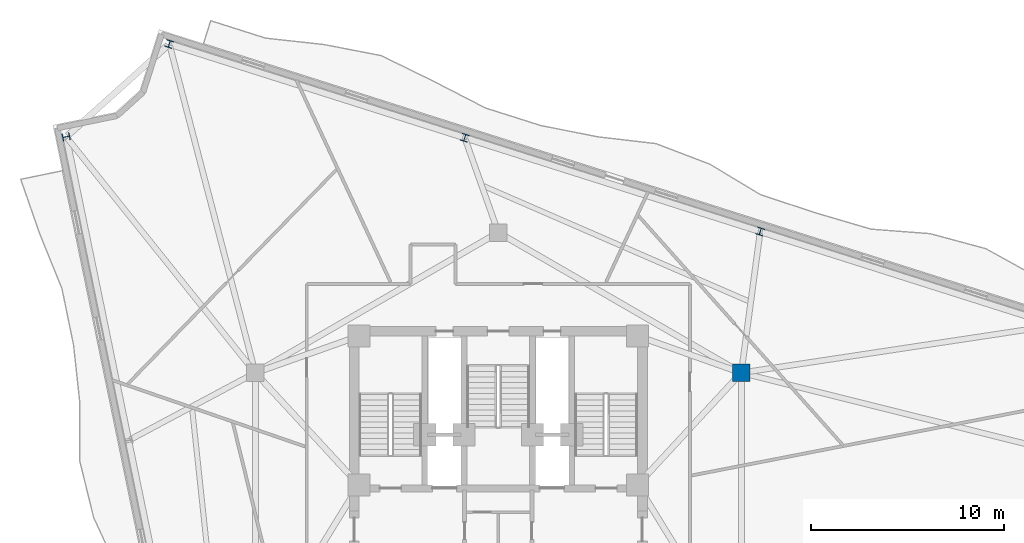
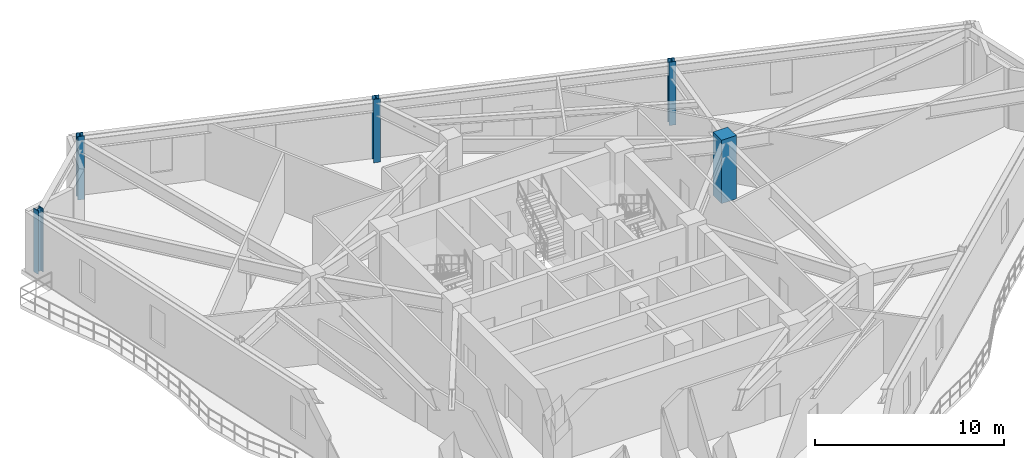
# One storey, part 2 of 12: 5 columns.
"""IFC4 building model written with IfcOpenShell, lengths in metres."""

from ifc_helpers import new_model, si_unit, direction, frame, origin, origin_2d, place, context, subcontext, project, spatial, rectangle, i_section, extrude, material, material_profile, profile_set, type_object, element, save


model = new_model("IFC4")

# Units and contexts
model_context = context("Model", 3, precision=1e-05, world=origin(), true_north=direction((0.0, 1.0)))
body_context = subcontext(model_context, "Body", "Model", "MODEL_VIEW")
ifc_project = project(units=[si_unit("LENGTHUNIT", "METRE"), si_unit("AREAUNIT", "SQUARE_METRE"), si_unit("VOLUMEUNIT", "CUBIC_METRE"), si_unit("PLANEANGLEUNIT", "RADIAN"), si_unit("MASSUNIT", "GRAM", prefix="KILO")], contexts=[model_context])

# Site, building, storey
site_placement = place(None, origin())
site = spatial("IfcSite", under=ifc_project, at=site_placement, CompositionType="ELEMENT")
building_placement = place(site_placement, origin())
building = spatial("IfcBuilding", under=site, at=building_placement, Name="Apsidion Concourse Tower", CompositionType="ELEMENT")
storey_placement = place(building_placement, frame((0.0, 0.0, 248.60009765625)))
storey = spatial("IfcBuildingStorey", under=building, at=storey_placement, Name="L58", CompositionType="ELEMENT", Elevation=248.60009765625)

# Columns
ifc_material_1 = material(Name="Concrete C50/60", Category="concrete")
ifc_material_profile_1 = material_profile(ifc_material_1, rectangle(XDim=0.89990234375, YDim=0.89990234375, at=origin_2d()), Name="RC 900x900")
ifc_profile_set_1 = profile_set([ifc_material_profile_1], Name="Concrete C50/60")
column_type_1 = type_object("IfcColumnType", Name="COL-RC-900", PredefinedType="COLUMN", material=ifc_profile_set_1)
column_placement = place(storey_placement, frame((12.56005859375, 7.25, 0.0), z_axis=(0.0, 0.0, 1.0), x_axis=(1.0, 0.0, 0.0)))
element("IfcColumn", 1, at=column_placement, inside=storey, type_object=column_type_1, Name="L58 Interior Spine Column IC3", PredefinedType="COLUMN", context=body_context, shape_type="SweptSolid", body=[
    extrude(rectangle(XDim=0.89990234375, YDim=0.89990234375, at=origin_2d()), origin(), (0.0, 0.0, 1.0), 4.099853515625),
])
ifc_material_2 = material(Name="Structural steel ASTM A992 Grade 50", Category="steel")
ifc_material_profile_2 = material_profile(ifc_material_2, i_section(OverallWidth=0.373046875, OverallDepth=0.373046875, WebThickness=0.016357421875, FlangeThickness=0.026123046875, at=origin_2d()), Name="W14X132")
ifc_profile_set_2 = profile_set([ifc_material_profile_2], Name="Structural steel ASTM A992 Grade 50")
column_type_2 = type_object("IfcColumnType", Name="COL-W14-132", PredefinedType="COLUMN", material=ifc_profile_set_2)
for number, where, z_axis, x_axis, name in (
    (2, (-22.337158203125, 19.44677734375, 0.0), (0.0, 0.0, 1.0), (-0.201248886216, 0.979540139962, 0.0), "L58 Rotated Perimeter Column PC01"),
    (3, (13.539306640625, 14.552978515625, 0.0), (0.0, 0.0, 1.0), (-0.953137879774, 0.3025362493, 0.0), "L58 Rotated Perimeter Column PC10"),
    (4, (-1.733154296875, 19.400390625, 0.0), (0.0, 0.0, 1.0), (-0.953137879774, 0.3025362493, 0.0), "L58 Rotated Perimeter Column PC11"),
    (5, (-17.00537109375, 24.24755859375, 0.0), (0.0, 0.0, 1.0), (-0.953137879774, 0.3025362493, 0.0), "L58 Rotated Perimeter Column PC12"),
):
    element("IfcColumn", number, at=place(storey_placement, frame(where, z_axis=z_axis, x_axis=x_axis)), inside=storey, type_object=column_type_2, Name=name, PredefinedType="COLUMN", context=body_context, shape_type="SweptSolid", body=[
        extrude(i_section(OverallWidth=0.373046875, OverallDepth=0.373046875, WebThickness=0.016357421875, FlangeThickness=0.026123046875, at=origin_2d()), origin(), (0.0, 0.0, 1.0), 4.099853515625),
    ])

save(model, "model.ifc")
